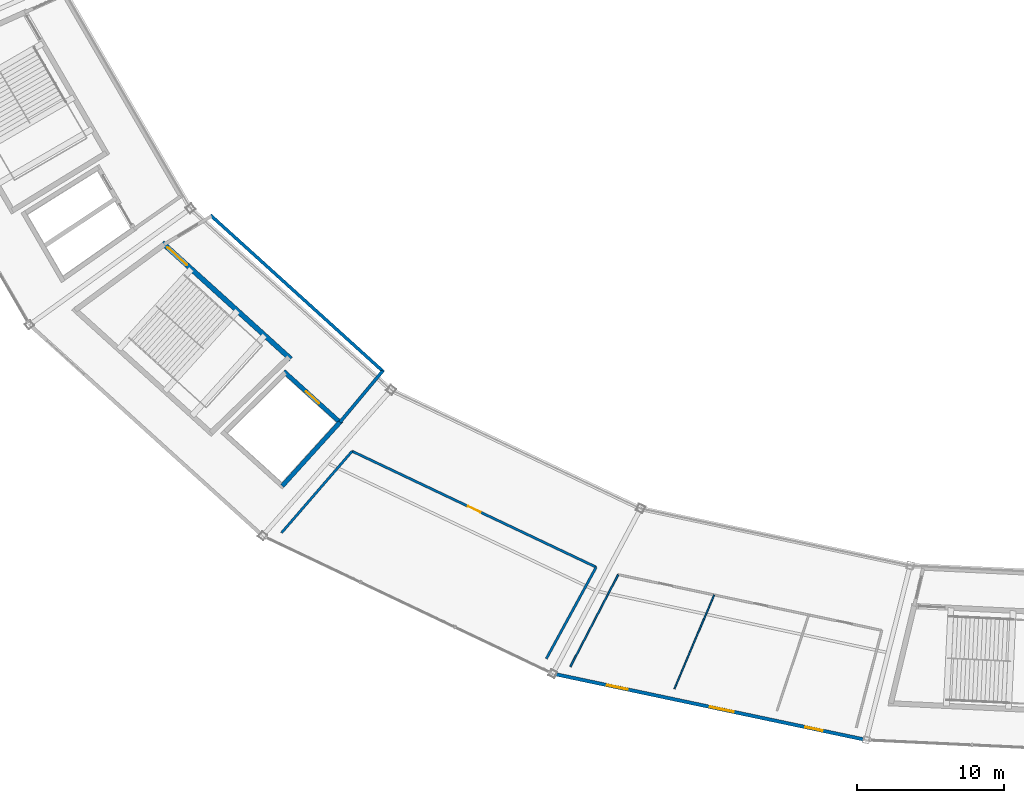
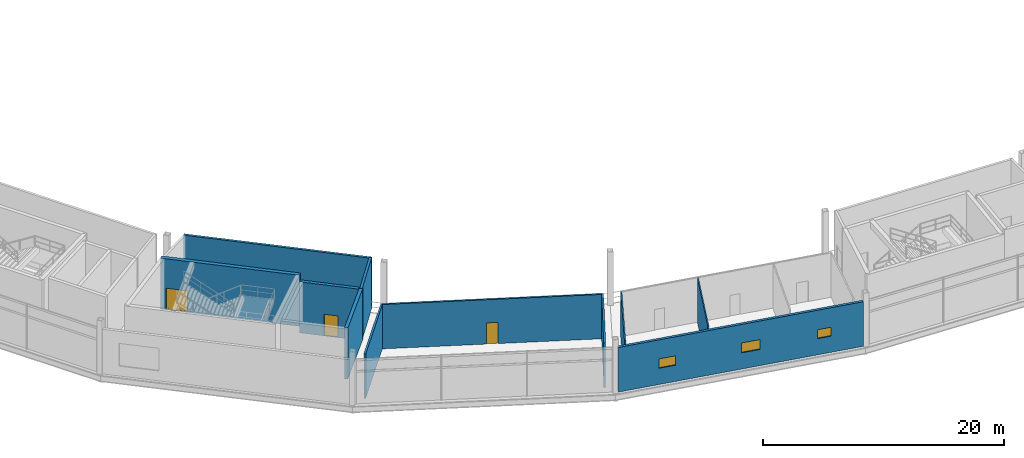
# One storey, part 71 of 103: 11 walls, 3 doors, 3 windows, 6 openings.
"""IFC4 building model written with IfcOpenShell, lengths in metres."""

from ifc_helpers import new_model, si_unit, direction, frame, frame_2d, origin, place, context, subcontext, project, spatial, rectangle, extrude, material, layer, layer_set, type_object, element, fill, save


model = new_model("IFC4")

# Units and contexts
model_context = context("Model", 3, precision=1e-05, world=origin(), true_north=direction((0.0, 1.0)))
body_context = subcontext(model_context, "Body", "Model", "MODEL_VIEW")
ifc_project = project(units=[si_unit("LENGTHUNIT", "METRE"), si_unit("AREAUNIT", "SQUARE_METRE"), si_unit("VOLUMEUNIT", "CUBIC_METRE"), si_unit("PLANEANGLEUNIT", "RADIAN"), si_unit("MASSUNIT", "GRAM", prefix="KILO")], contexts=[model_context])

# Site, building, storey
site_placement = place(None, origin())
site = spatial("IfcSite", under=ifc_project, at=site_placement, CompositionType="ELEMENT")
building_placement = place(site_placement, origin())
building = spatial("IfcBuilding", under=site, at=building_placement, Name="Kazemori Nagisa Stadium", CompositionType="ELEMENT")
storey_placement = place(building_placement, frame((0.0, 0.0, 25.840087890625)))
storey = spatial("IfcBuildingStorey", under=building, at=storey_placement, Name="L05", CompositionType="ELEMENT", Elevation=25.840087890625)

# Wall, opening, door
ifc_material_1 = material(Name="Concrete C40/50 (Fc42)", Category="concrete")
ifc_layer_1 = layer(ifc_material_1, 0.35009765625, Name="Concrete C40/50 (Fc42)", Category="concrete")
ifc_layer_set_1 = layer_set([ifc_layer_1], Name="Concrete C40/50 (Fc42)")
wall_type_1 = type_object("IfcWallType", Name="Wall_W-CORE-350", PredefinedType="SHEAR", material=ifc_layer_set_1)
wall_1_placement = place(storey_placement, frame((53.561279296875, 50.927978515625, 0.0), z_axis=(0.0, 0.0, 1.0), x_axis=(0.741358227035, -0.671109513572, 0.0)))
wall_1 = element("IfcWall", 1, at=wall_1_placement, inside=storey, type_object=wall_type_1, Name="Core stair front shear wall ST03 L05", PredefinedType="SHEAR", context=body_context, shape_type="SweptSolid", body=[
    extrude(rectangle(XDim=11.82666015625, YDim=0.35009765625, at=frame_2d((5.913330078125, 0.0))), origin(), (0.0, 0.0, 1.0), 5.179931640625),
])
opening_1_placement = place(wall_1_placement, frame((0.47509765625, 0.0, 0.0)))
opening_1 = element("IfcOpeningElement", 2, at=opening_1_placement, cuts=wall_1, Name="Opening D-ST-1800", PredefinedType="OPENING", context=body_context, shape_type="SweptSolid", body=[
    extrude(rectangle(XDim=1.800048828125, YDim=2.199951171875, at=frame_2d((0.89990234375, 1.10009765625))), frame((0.0, 0.18505859375, 0.0), z_axis=(0.0, -1.0, 0.0), x_axis=(1.0, 0.0, 0.0)), (0.0, 0.0, 1.0), 0.3701171875),
])
ifc_material_2 = material(Name="Galvanised steel sheet", Category="steel")
door_type_1 = type_object("IfcDoorType", Name="Door_D-ST-1800", OperationType="NOTDEFINED", PredefinedType="DOOR", material=ifc_material_2)
door_1_placement = place(opening_1_placement, frame((1.800048828125, 0.0, 0.0), z_axis=(0.0, 0.0, 1.0), x_axis=(-1.0, 0.0, 0.0)))
door_1 = element("IfcDoor", 3, at=door_1_placement, inside=storey, type_object=door_type_1, Name="Exit stair fire door ST03-L05", OperationType="SINGLE_SWING_RIGHT", OverallHeight=2.199951171875, OverallWidth=1.800048828125, PredefinedType="DOOR", context=body_context, shape_type="SweptSolid", body=[
    extrude(rectangle(XDim=1.800048828125, YDim=2.199951171875, at=frame_2d((0.89990234375, 1.10009765625))), frame((0.0, 0.02490234375, 0.0), z_axis=(0.0, -1.0, 0.0), x_axis=(1.0, 0.0, 0.0)), (0.0, 0.0, 1.0), 0.050048828125),
])
fill(opening_1, door_1)

# Wall, openings, windows
ifc_material_3 = material(Name="Steel S355 (SN490B)", Category="steel")
ifc_layer_2 = layer(ifc_material_3, 0.239990234375, Name="Steel S355 (SN490B)", Category="steel")
ifc_layer_set_2 = layer_set([ifc_layer_2], Name="Steel S355 (SN490B)")
wall_type_2 = type_object("IfcWallType", Name="Wall_W-EXT-240", PredefinedType="SOLIDWALL", material=ifc_layer_set_2)
wall_2_placement = place(storey_placement, frame((80.410400390625, 21.490234375, 0.0), z_axis=(0.0, 0.0, 1.0), x_axis=(0.978344108288, -0.206985037572, 0.0)))
wall_2 = element("IfcWall", 4, at=wall_2_placement, inside=storey, type_object=wall_type_2, Name="Exterior facade wall L05-20", PredefinedType="SOLIDWALL", context=body_context, shape_type="SweptSolid", body=[
    extrude(rectangle(XDim=21.410400390625, YDim=0.239990234375, at=frame_2d((10.705078125, 0.0))), origin(), (0.0, 0.0, 1.0), 4.530029296875),
])
opening_2_placement = place(wall_2_placement, frame((3.556884765625, 0.0, 1.64990234375)))
opening_2 = element("IfcOpeningElement", 5, at=opening_2_placement, cuts=wall_2, Name="Opening WIN-WC-1450", PredefinedType="OPENING", context=body_context, shape_type="SweptSolid", body=[
    extrude(rectangle(XDim=1.449951171875, YDim=0.949951171875, at=frame_2d((0.72509765625, 0.47509765625))), frame((0.0, 0.1298828125, 0.0), z_axis=(0.0, -1.0, 0.0), x_axis=(1.0, 0.0, 0.0)), (0.0, 0.0, 1.0), 0.260009765625),
])
opening_3_placement = place(wall_2_placement, frame((10.737060546875, 0.0, 1.64990234375)))
opening_3 = element("IfcOpeningElement", 6, at=opening_3_placement, cuts=wall_2, Name="Opening WIN-WC-1650", PredefinedType="OPENING", context=body_context, shape_type="SweptSolid", body=[
    extrude(rectangle(XDim=1.64990234375, YDim=1.0, at=frame_2d((0.824951171875, 0.5))), frame((0.0, 0.1298828125, 0.0), z_axis=(0.0, -1.0, 0.0), x_axis=(1.0, 0.0, 0.0)), (0.0, 0.0, 1.0), 0.260009765625),
])
opening_4_placement = place(wall_2_placement, frame((17.385009765625, 0.0, 1.64990234375)))
opening_4 = element("IfcOpeningElement", 7, at=opening_4_placement, cuts=wall_2, Name="Opening WIN-WC-1200", PredefinedType="OPENING", context=body_context, shape_type="SweptSolid", body=[
    extrude(rectangle(XDim=1.199951171875, YDim=0.89990234375, at=frame_2d((0.60009765625, 0.449951171875))), frame((0.0, 0.1298828125, 0.0), z_axis=(0.0, -1.0, 0.0), x_axis=(1.0, 0.0, 0.0)), (0.0, 0.0, 1.0), 0.260009765625),
])
ifc_material_4 = material(Name="Low-e laminated double glazing", Category="glass")
window_type_1 = type_object("IfcWindowType", Name="Window_WIN-WC-1200", PartitioningType="SINGLE_PANEL", PredefinedType="WINDOW", material=ifc_material_4)
window_1_placement = place(opening_4_placement, origin())
window_1 = element("IfcWindow", 8, at=window_1_placement, inside=storey, type_object=window_type_1, Name="Sanitary clerestory window L05-20-3", OverallHeight=0.89990234375, OverallWidth=1.199951171875, PartitioningType="SINGLE_PANEL", PredefinedType="WINDOW", context=body_context, shape_type="SweptSolid", body=[
    extrude(rectangle(XDim=1.199951171875, YDim=0.89990234375, at=frame_2d((0.60009765625, 0.449951171875))), frame((0.0, 0.030029296875, 0.0), z_axis=(0.0, -1.0, 0.0), x_axis=(1.0, 0.0, 0.0)), (0.0, 0.0, 1.0), 0.06005859375),
])
fill(opening_4, window_1)
window_type_2 = type_object("IfcWindowType", Name="Window_WIN-WC-1450", PartitioningType="SINGLE_PANEL", PredefinedType="WINDOW", material=ifc_material_4)
window_2_placement = place(opening_2_placement, origin())
window_2 = element("IfcWindow", 9, at=window_2_placement, inside=storey, type_object=window_type_2, Name="Sanitary clerestory window L05-20-1", OverallHeight=0.949951171875, OverallWidth=1.449951171875, PartitioningType="SINGLE_PANEL", PredefinedType="WINDOW", context=body_context, shape_type="SweptSolid", body=[
    extrude(rectangle(XDim=1.449951171875, YDim=0.949951171875, at=frame_2d((0.72509765625, 0.47509765625))), frame((0.0, 0.030029296875, 0.0), z_axis=(0.0, -1.0, 0.0), x_axis=(1.0, 0.0, 0.0)), (0.0, 0.0, 1.0), 0.06005859375),
])
fill(opening_2, window_2)
window_type_3 = type_object("IfcWindowType", Name="Window_WIN-WC-1650", PartitioningType="SINGLE_PANEL", PredefinedType="WINDOW", material=ifc_material_4)
window_3_placement = place(opening_3_placement, origin())
window_3 = element("IfcWindow", 10, at=window_3_placement, inside=storey, type_object=window_type_3, Name="Sanitary clerestory window L05-20-2", OverallHeight=1.0, OverallWidth=1.64990234375, PartitioningType="SINGLE_PANEL", PredefinedType="WINDOW", context=body_context, shape_type="SweptSolid", body=[
    extrude(rectangle(XDim=1.64990234375, YDim=1.0, at=frame_2d((0.824951171875, 0.5))), frame((0.0, 0.030029296875, 0.0), z_axis=(0.0, -1.0, 0.0), x_axis=(1.0, 0.0, 0.0)), (0.0, 0.0, 1.0), 0.06005859375),
])
fill(opening_3, window_3)

# Walls
ifc_material_5 = material(Name="Concrete C36/45 (Fc36)", Category="concrete")
ifc_layer_3 = layer(ifc_material_5, 0.219970703125, Name="Concrete C36/45 (Fc36)", Category="concrete")
ifc_layer_set_3 = layer_set([ifc_layer_3], Name="Concrete C36/45 (Fc36)")
wall_type_3 = type_object("IfcWallType", Name="Wall_W-LOBBY-220", PredefinedType="SOLIDWALL", material=ifc_layer_set_3)
wall_3_placement = place(storey_placement, frame((56.833740234375, 52.8193359375, 0.0), z_axis=(0.0, 0.0, 1.0), x_axis=(0.741351035574, -0.671117457717, 0.0)))
element("IfcWall", 11, at=wall_3_placement, inside=storey, type_object=wall_type_3, Name="Core lobby fire wall ST03 L05", PredefinedType="SOLIDWALL", context=body_context, shape_type="SweptSolid", body=[
    extrude(rectangle(XDim=15.96923828125, YDim=0.219970703125, at=frame_2d((7.984619140625, 0.0))), origin(), (0.0, 0.0, 1.0), 5.179931640625),
])
wall_4_placement = place(storey_placement, frame((68.591064453125, 42.176025390625, 0.0), z_axis=(0.0, 0.0, 1.0), x_axis=(-0.640759627034, -0.767741558315, 0.0)))
element("IfcWall", 12, at=wall_4_placement, inside=storey, type_object=wall_type_3, Name="Core lobby right wall ST03 L05", PredefinedType="SOLIDWALL", context=body_context, shape_type="SweptSolid", body=[
    extrude(rectangle(XDim=4.549072265625, YDim=0.219970703125, at=frame_2d((2.2744140625, 0.0))), origin(), (0.0, 0.0, 1.0), 5.179931640625),
])
ifc_material_6 = material(Name="High-pressure phenolic compact laminate", Category="gypsum")
ifc_layer_4 = layer(ifc_material_6, 0.10009765625, Name="High-pressure phenolic compact laminate", Category="gypsum")
ifc_layer_set_4 = layer_set([ifc_layer_4], Name="High-pressure phenolic compact laminate")
wall_type_4 = type_object("IfcWallType", Name="Wall_W-PART-100", PredefinedType="PARTITIONING", material=ifc_layer_set_4)
wall_5_placement = place(storey_placement, frame((91.201171875, 26.906005859375, 0.0), z_axis=(0.0, 0.0, 1.0), x_axis=(-0.389927223737, -0.920845676641, 0.0)))
element("IfcWall", 13, at=wall_5_placement, inside=storey, type_object=wall_type_4, Name="Sanitary divider partition L05-B20-1", PredefinedType="PARTITIONING", context=body_context, shape_type="SweptSolid", body=[
    extrude(rectangle(XDim=6.959228515625, YDim=0.10009765625, at=frame_2d((3.4794921875, 0.0))), origin(), (0.0, 0.0, 1.0), 4.5),
])
ifc_material_7 = material(Name="Moisture-resistant gypsum board", Category="gypsum")
ifc_layer_5 = layer(ifc_material_7, 0.114990234375, Name="Moisture-resistant gypsum board", Category="gypsum")
ifc_layer_set_5 = layer_set([ifc_layer_5], Name="Moisture-resistant gypsum board")
wall_type_5 = type_object("IfcWallType", Name="Wall_W-PART-115", PredefinedType="PARTITIONING", material=ifc_layer_set_5)
wall_6_placement = place(storey_placement, frame((84.657958984375, 28.290283203125, 0.0), z_axis=(0.0, 0.0, 1.0), x_axis=(-0.461466568794, -0.887157599238, 0.0)))
element("IfcWall", 14, at=wall_6_placement, inside=storey, type_object=wall_type_5, Name="Sanitary block L partition L05-B20", PredefinedType="PARTITIONING", context=body_context, shape_type="SweptSolid", body=[
    extrude(rectangle(XDim=7.09033203125, YDim=0.114990234375, at=frame_2d((3.545166015625, 0.0))), origin(), (0.0, 0.0, 1.0), 4.5),
])

# Wall, opening, door
ifc_material_8 = material(Name="Gypsum plasterboard", Category="gypsum")
ifc_layer_6 = layer(ifc_material_8, 0.1650390625, Name="Gypsum plasterboard", Category="gypsum")
ifc_layer_set_6 = layer_set([ifc_layer_6], Name="Gypsum plasterboard")
wall_type_6 = type_object("IfcWallType", Name="Wall_W-PART-165", PredefinedType="PARTITIONING", material=ifc_layer_set_6)
wall_7_placement = place(storey_placement, frame((66.509033203125, 36.708251953125, 0.0), z_axis=(0.0, 0.0, 1.0), x_axis=(0.90321677741, -0.429184637429, 0.0)))
wall_7 = element("IfcWall", 15, at=wall_7_placement, inside=storey, type_object=wall_type_6, Name="Room corridor partition L05-B19", PredefinedType="PARTITIONING", context=body_context, shape_type="SweptSolid", body=[
    extrude(rectangle(XDim=18.42724609375, YDim=0.1650390625, at=frame_2d((9.213623046875, 0.0))), origin(), (0.0, 0.0, 1.0), 4.5),
])
opening_5_placement = place(wall_7_placement, frame((8.739013671875, 0.0, 0.0)))
opening_5 = element("IfcOpeningElement", 16, at=opening_5_placement, cuts=wall_7, Name="Opening D-OFF-950", PredefinedType="OPENING", context=body_context, shape_type="SweptSolid", body=[
    extrude(rectangle(XDim=0.949951171875, YDim=2.14990234375, at=frame_2d((0.47509765625, 1.074951171875))), frame((0.0, 0.092529296875, 0.0), z_axis=(0.0, -1.0, 0.0), x_axis=(1.0, 0.0, 0.0)), (0.0, 0.0, 1.0), 0.18505859375),
])
ifc_material_9 = material(Name="Oak timber veneer", Category="wood")
door_type_2 = type_object("IfcDoorType", Name="Door_D-OFF-950", OperationType="NOTDEFINED", PredefinedType="DOOR", material=ifc_material_9)
door_2_placement = place(opening_5_placement, origin())
door_2 = element("IfcDoor", 17, at=door_2_placement, inside=storey, type_object=door_type_2, Name="Room entrance door D-OFF-950 L05-B19", OperationType="SINGLE_SWING_LEFT", OverallHeight=2.14990234375, OverallWidth=0.949951171875, PredefinedType="DOOR", context=body_context, shape_type="SweptSolid", body=[
    extrude(rectangle(XDim=0.949951171875, YDim=2.14990234375, at=frame_2d((0.47509765625, 1.074951171875))), frame((0.0, 0.02490234375, 0.0), z_axis=(0.0, -1.0, 0.0), x_axis=(1.0, 0.0, 0.0)), (0.0, 0.0, 1.0), 0.050048828125),
])
fill(opening_5, door_2)

# Walls
wall_8_placement = place(storey_placement, frame((66.509033203125, 36.708251953125, 0.0), z_axis=(0.0, 0.0, 1.0), x_axis=(-0.654288201841, -0.7562452968, 0.0)))
element("IfcWall", 18, at=wall_8_placement, inside=storey, type_object=wall_type_6, Name="Room radial partition L05-B19-L", PredefinedType="PARTITIONING", context=body_context, shape_type="SweptSolid", body=[
    extrude(rectangle(XDim=7.367919921875, YDim=0.1650390625, at=frame_2d((3.68408203125, 0.0))), origin(), (0.0, 0.0, 1.0), 4.5),
])
wall_9_placement = place(storey_placement, frame((83.15283203125, 28.799560546875, 0.0), z_axis=(0.0, 0.0, 1.0), x_axis=(-0.47812325427, -0.878292749444, 0.0)))
element("IfcWall", 19, at=wall_9_placement, inside=storey, type_object=wall_type_6, Name="Room radial partition L05-B19-R", PredefinedType="PARTITIONING", context=body_context, shape_type="SweptSolid", body=[
    extrude(rectangle(XDim=7.112548828125, YDim=0.1650390625, at=frame_2d((3.55615234375, 0.0))), origin(), (0.0, 0.0, 1.0), 4.5),
])

# Wall, opening, door
ifc_layer_7 = layer(ifc_material_1, 0.300048828125, Name="Concrete C40/50 (Fc42)", Category="concrete")
ifc_layer_set_7 = layer_set([ifc_layer_7], Name="Concrete C40/50 (Fc42)")
wall_type_7 = type_object("IfcWallType", Name="Wall_W-SHAFT-300", PredefinedType="SHEAR", material=ifc_layer_set_7)
wall_10_placement = place(storey_placement, frame((61.8369140625, 42.159423828125, 0.0), z_axis=(0.0, 0.0, 1.0), x_axis=(0.741350155641, -0.671118429736, 0.0)))
wall_10 = element("IfcWall", 20, at=wall_10_placement, inside=storey, type_object=wall_type_7, Name="Lift shaft front wall FL3 L05", PredefinedType="SHEAR", context=body_context, shape_type="SweptSolid", body=[
    extrude(rectangle(XDim=5.3291015625, YDim=0.300048828125, at=frame_2d((2.66455078125, 0.0))), origin(), (0.0, 0.0, 1.0), 5.179931640625),
])
opening_6_placement = place(wall_10_placement, frame((2.06494140625, 0.0, 0.0)))
opening_6 = element("IfcOpeningElement", 21, at=opening_6_placement, cuts=wall_10, Name="Opening LD-FF", PredefinedType="OPENING", context=body_context, shape_type="SweptSolid", body=[
    extrude(rectangle(XDim=1.199951171875, YDim=2.199951171875, at=frame_2d((0.60009765625, 1.10009765625))), frame((0.0, 0.159912109375, 0.0), z_axis=(0.0, -1.0, 0.0), x_axis=(1.0, 0.0, 0.0)), (0.0, 0.0, 1.0), 0.320068359375),
])
ifc_material_10 = material(Name="Stainless steel SUS304", Category="steel")
door_type_3 = type_object("IfcDoorType", Name="Door_LD-FF", OperationType="SLIDING_TO_LEFT", PredefinedType="DOOR", material=ifc_material_10)
door_3_placement = place(opening_6_placement, origin())
door_3 = element("IfcDoor", 22, at=door_3_placement, inside=storey, type_object=door_type_3, Name="Lift landing door FL3-L05", OperationType="SLIDING_TO_LEFT", OverallHeight=2.199951171875, OverallWidth=1.199951171875, PredefinedType="DOOR", context=body_context, shape_type="SweptSolid", body=[
    extrude(rectangle(XDim=1.199951171875, YDim=2.199951171875, at=frame_2d((0.60009765625, 1.10009765625))), frame((0.0, 0.02490234375, 0.0), z_axis=(0.0, -1.0, 0.0), x_axis=(1.0, 0.0, 0.0)), (0.0, 0.0, 1.0), 0.050048828125),
])
fill(opening_6, door_3)

# Wall
wall_11_placement = place(storey_placement, frame((65.67626953125, 38.68359375, 0.0), z_axis=(0.0, 0.0, 1.0), x_axis=(-0.67115829282, -0.741314067031, 0.0)))
element("IfcWall", 23, at=wall_11_placement, inside=storey, type_object=wall_type_7, Name="Lift shaft R wall FL3 L05", PredefinedType="SHEAR", context=body_context, shape_type="SweptSolid", body=[
    extrude(rectangle(XDim=5.87060546875, YDim=0.300048828125, at=frame_2d((2.935302734375, 0.0))), origin(), (0.0, 0.0, 1.0), 5.179931640625),
])

save(model, "model.ifc")
